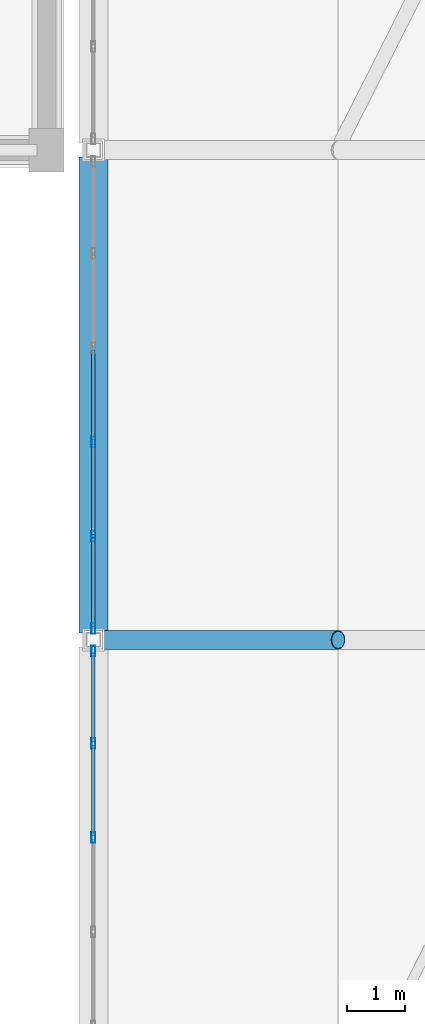
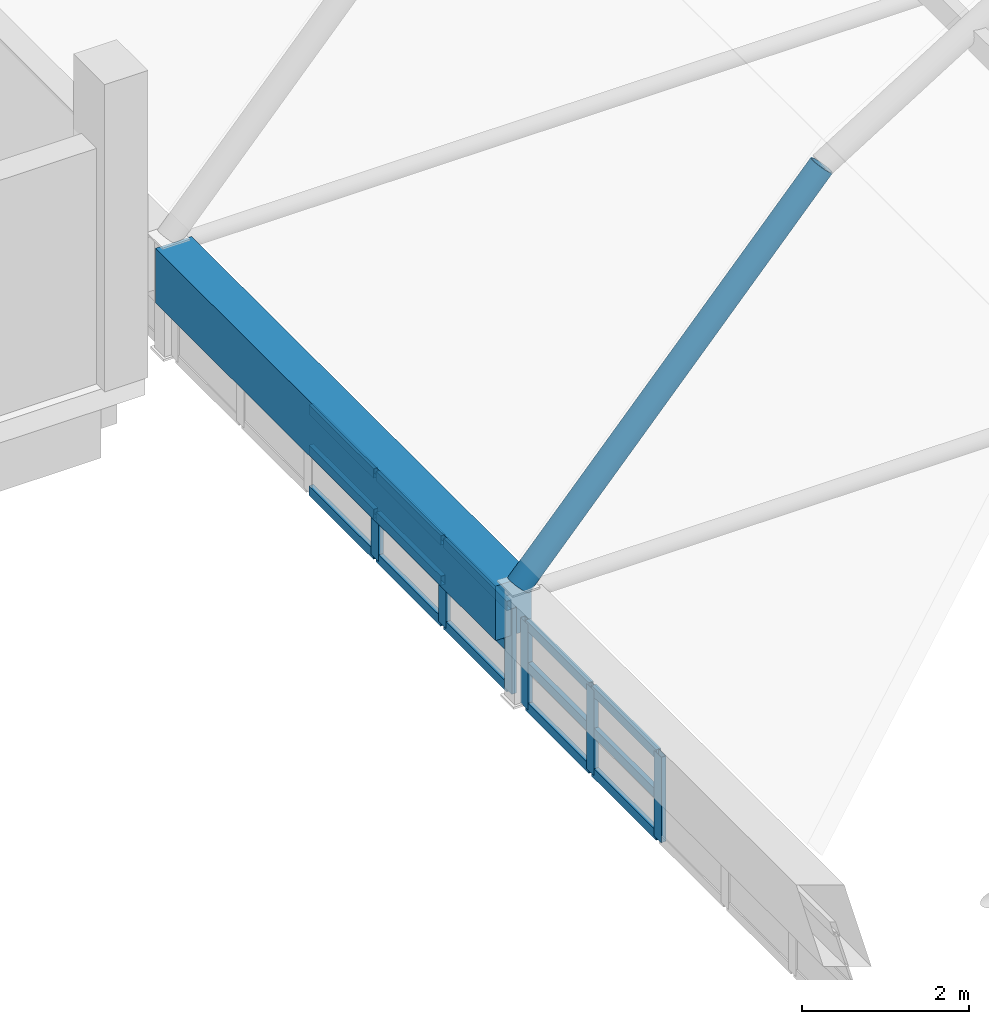
# One storey, part 33 of 114: 21 members, 2 beams, 2 elements without a shape of their own.
"""IFC4 building model written with IfcOpenShell, lengths in metres."""

from ifc_helpers import new_model, si_unit, direction, frame, origin, origin_2d, place, context, subcontext, project, spatial, rectangle, hollow_rectangle, hollow_circle, extrude, material, layer, layer_set, material_profile, profile_set, type_object, element, aggregate, save


model = new_model("IFC4")

# Units and contexts
model_context = context("Model", 3, precision=1e-05, world=origin(), true_north=direction((0.0, 1.0)))
body_context = subcontext(model_context, "Body", "Model", "MODEL_VIEW")
ifc_project = project(units=[si_unit("LENGTHUNIT", "METRE"), si_unit("AREAUNIT", "SQUARE_METRE"), si_unit("VOLUMEUNIT", "CUBIC_METRE"), si_unit("PLANEANGLEUNIT", "RADIAN"), si_unit("MASSUNIT", "GRAM", prefix="KILO")], contexts=[model_context])

# Site, building, storey
site_placement = place(None, origin())
site = spatial("IfcSite", under=ifc_project, at=site_placement, CompositionType="ELEMENT")
building_placement = place(site_placement, origin())
building = spatial("IfcBuilding", under=site, at=building_placement, Name="Xazarin Passage Department Store", CompositionType="ELEMENT")
storey_placement = place(building_placement, frame((0.0, 0.0, 14.39990234375)))
storey = spatial("IfcBuildingStorey", under=building, at=storey_placement, Name="L03", CompositionType="ELEMENT", Elevation=14.39990234375)

# Curtain wall, members
ifc_material_1 = material(Name="Bronze anodised aluminium", Category="aluminium")
ifc_layer = layer(ifc_material_1, 0.159912109375)
ifc_layer_set = layer_set([ifc_layer], Name="Bronze anodised aluminium")
curtain_wall_type = type_object("IfcCurtainWallType", Name="ARC-CW-ARC1", PredefinedType="NOTDEFINED", material=ifc_layer_set)
curtain_wall_1_placement = place(storey_placement, origin())
curtain_wall_1 = element("IfcCurtainWall", 1, at=curtain_wall_1_placement, inside=storey, type_object=curtain_wall_type, Name="L03 V2N Galleria Clerestory Curtain Wall 1W", PredefinedType="NOTDEFINED")
ifc_material_profile_1 = material_profile(ifc_material_1, hollow_rectangle(XDim=0.06494140625, YDim=0.179931640625, WallThickness=0.00390625, at=origin_2d()), Name="ALU 65x180")
ifc_profile_set_1 = profile_set([ifc_material_profile_1], Name="Bronze anodised aluminium")
member_type_1 = type_object("IfcMemberType", Name="ARC-CWM-65x180", PredefinedType="MULLION", material=ifc_profile_set_1)
member_1_placement = place(storey_placement, frame((68.0, 56.2080078125, 0.0), z_axis=(0.0, 0.0, 1.0), x_axis=(-1.0, 0.0, 0.0)))
member_1 = element("IfcMember", 2, at=member_1_placement, type_object=member_type_1, Name="CW3 mullion 4", PredefinedType="MULLION", context=body_context, shape_type="SweptSolid", body=[
    extrude(hollow_rectangle(XDim=0.06494140625, YDim=0.179931640625, WallThickness=0.00390625, at=origin_2d()), origin(), (0.0, 0.0, 1.0), 1.251708984375),
])
member_2_placement = place(storey_placement, frame((68.0, 57.823974609375, 0.0), z_axis=(0.0, 0.0, 1.0), x_axis=(-1.0, 0.0, 0.0)))
member_2 = element("IfcMember", 3, at=member_2_placement, type_object=member_type_1, Name="CW3 mullion 5", PredefinedType="MULLION", context=body_context, shape_type="SweptSolid", body=[
    extrude(hollow_rectangle(XDim=0.06494140625, YDim=0.179931640625, WallThickness=0.00390625, at=origin_2d()), origin(), (0.0, 0.0, 1.0), 1.251708984375),
])
member_3_placement = place(storey_placement, frame((68.0, 59.407470703125, 0.0), z_axis=(0.0, 0.0, 1.0), x_axis=(-1.0, 0.0, 0.0)))
member_3 = element("IfcMember", 4, at=member_3_placement, type_object=member_type_1, Name="CW3 mullion 6", PredefinedType="MULLION", context=body_context, shape_type="SweptSolid", body=[
    extrude(hollow_rectangle(XDim=0.06494140625, YDim=0.179931640625, WallThickness=0.00390625, at=origin_2d()), origin(), (0.0, 0.0, 1.0), 1.251708984375),
])

curtain_wall_2_placement = place(storey_placement, origin())
curtain_wall_2 = element("IfcCurtainWall", 5, at=curtain_wall_2_placement, inside=storey, type_object=curtain_wall_type, Name="L03 V2N Galleria Clerestory Curtain Wall 2W", PredefinedType="NOTDEFINED")
member_4_placement = place(storey_placement, frame((68.0, 59.79248046875, 0.0), z_axis=(0.0, 0.0, 1.0), x_axis=(-1.0, 0.0, 0.0)))
member_4 = element("IfcMember", 6, at=member_4_placement, type_object=member_type_1, Name="CW3 mullion 1", PredefinedType="MULLION", context=body_context, shape_type="SweptSolid", body=[
    extrude(hollow_rectangle(XDim=0.06494140625, YDim=0.179931640625, WallThickness=0.00390625, at=origin_2d()), origin(), (0.0, 0.0, 1.0), 1.251708984375),
])
member_5_placement = place(storey_placement, frame((68.0, 61.3759765625, 0.0), z_axis=(0.0, 0.0, 1.0), x_axis=(-1.0, 0.0, 0.0)))
member_5 = element("IfcMember", 7, at=member_5_placement, type_object=member_type_1, Name="CW3 mullion 2", PredefinedType="MULLION", context=body_context, shape_type="SweptSolid", body=[
    extrude(hollow_rectangle(XDim=0.06494140625, YDim=0.179931640625, WallThickness=0.00390625, at=origin_2d()), origin(), (0.0, 0.0, 1.0), 1.251708984375),
])
member_6_placement = place(storey_placement, frame((68.0, 62.991943359375, 0.0), z_axis=(0.0, 0.0, 1.0), x_axis=(-1.0, 0.0, 0.0)))
member_6 = element("IfcMember", 8, at=member_6_placement, type_object=member_type_1, Name="CW3 mullion 3", PredefinedType="MULLION", context=body_context, shape_type="SweptSolid", body=[
    extrude(hollow_rectangle(XDim=0.06494140625, YDim=0.179931640625, WallThickness=0.00390625, at=origin_2d()), origin(), (0.0, 0.0, 1.0), 1.251708984375),
])

# Member
ifc_material_profile_2 = material_profile(ifc_material_1, hollow_rectangle(XDim=0.06494140625, YDim=0.139892578125, WallThickness=0.00390625, at=origin_2d()), Name="ALU 65x140")
ifc_profile_set_2 = profile_set([ifc_material_profile_2], Name="Bronze anodised aluminium")
member_type_2 = type_object("IfcMemberType", Name="ARC-CWT-65x140", PredefinedType="USERDEFINED", material=ifc_profile_set_2)
member_7_placement = place(storey_placement, frame((68.0, 56.240478515625, 0.03271484375), z_axis=(0.0, 1.0, 0.0), x_axis=(-1.0, 0.0, 0.0)))
member_7 = element("IfcMember", 9, at=member_7_placement, type_object=member_type_2, Name="CW3 transom 4.1", ObjectType="TRANSOM", PredefinedType="USERDEFINED", context=body_context, shape_type="SweptSolid", body=[
    extrude(hollow_rectangle(XDim=0.06494140625, YDim=0.139892578125, WallThickness=0.00390625, at=origin_2d()), origin(), (0.0, 0.0, 1.0), 1.551025390625),
])

member_8_placement = place(storey_placement, frame((68.0, 56.240478515625, 0.6259765625), z_axis=(0.0, 1.0, 0.0), x_axis=(-1.0, 0.0, 0.0)))
member_8 = element("IfcMember", 10, at=member_8_placement, type_object=member_type_2, Name="CW3 transom 4.2", ObjectType="TRANSOM", PredefinedType="USERDEFINED", context=body_context, shape_type="SweptSolid", body=[
    extrude(hollow_rectangle(XDim=0.06494140625, YDim=0.139892578125, WallThickness=0.00390625, at=origin_2d()), origin(), (0.0, 0.0, 1.0), 1.551025390625),
])

member_9_placement = place(storey_placement, frame((68.0, 56.240478515625, 1.21923828125), z_axis=(0.0, 1.0, 0.0), x_axis=(-1.0, 0.0, 0.0)))
member_9 = element("IfcMember", 11, at=member_9_placement, type_object=member_type_2, Name="CW3 transom 4.3", ObjectType="TRANSOM", PredefinedType="USERDEFINED", context=body_context, shape_type="SweptSolid", body=[
    extrude(hollow_rectangle(XDim=0.06494140625, YDim=0.139892578125, WallThickness=0.00390625, at=origin_2d()), origin(), (0.0, 0.0, 1.0), 1.551025390625),
])

member_10_placement = place(storey_placement, frame((68.0, 57.8564453125, 0.03271484375), z_axis=(0.0, 1.0, 0.0), x_axis=(-1.0, 0.0, 0.0)))
member_10 = element("IfcMember", 12, at=member_10_placement, type_object=member_type_2, Name="CW3 transom 5.1", ObjectType="TRANSOM", PredefinedType="USERDEFINED", context=body_context, shape_type="SweptSolid", body=[
    extrude(hollow_rectangle(XDim=0.06494140625, YDim=0.139892578125, WallThickness=0.00390625, at=origin_2d()), origin(), (0.0, 0.0, 1.0), 1.5185546875),
])

member_11_placement = place(storey_placement, frame((68.0, 57.8564453125, 0.6259765625), z_axis=(0.0, 1.0, 0.0), x_axis=(-1.0, 0.0, 0.0)))
member_11 = element("IfcMember", 13, at=member_11_placement, type_object=member_type_2, Name="CW3 transom 5.2", ObjectType="TRANSOM", PredefinedType="USERDEFINED", context=body_context, shape_type="SweptSolid", body=[
    extrude(hollow_rectangle(XDim=0.06494140625, YDim=0.139892578125, WallThickness=0.00390625, at=origin_2d()), origin(), (0.0, 0.0, 1.0), 1.5185546875),
])

member_12_placement = place(storey_placement, frame((68.0, 57.8564453125, 1.21923828125), z_axis=(0.0, 1.0, 0.0), x_axis=(-1.0, 0.0, 0.0)))
member_12 = element("IfcMember", 14, at=member_12_placement, type_object=member_type_2, Name="CW3 transom 5.3", ObjectType="TRANSOM", PredefinedType="USERDEFINED", context=body_context, shape_type="SweptSolid", body=[
    extrude(hollow_rectangle(XDim=0.06494140625, YDim=0.139892578125, WallThickness=0.00390625, at=origin_2d()), origin(), (0.0, 0.0, 1.0), 1.5185546875),
])

aggregate(curtain_wall_1, [member_1, member_2, member_3, member_7, member_8, member_9, member_10, member_11, member_12])

member_13_placement = place(storey_placement, frame((68.0, 59.824951171875, 0.03271484375), z_axis=(0.0, 1.0, 0.0), x_axis=(-1.0, 0.0, 0.0)))
member_13 = element("IfcMember", 15, at=member_13_placement, type_object=member_type_2, Name="CW3 transom 1.1", ObjectType="TRANSOM", PredefinedType="USERDEFINED", context=body_context, shape_type="SweptSolid", body=[
    extrude(hollow_rectangle(XDim=0.06494140625, YDim=0.139892578125, WallThickness=0.00390625, at=origin_2d()), origin(), (0.0, 0.0, 1.0), 1.5185546875),
])

member_14_placement = place(storey_placement, frame((68.0, 59.824951171875, 0.6259765625), z_axis=(0.0, 1.0, 0.0), x_axis=(-1.0, 0.0, 0.0)))
member_14 = element("IfcMember", 16, at=member_14_placement, type_object=member_type_2, Name="CW3 transom 1.2", ObjectType="TRANSOM", PredefinedType="USERDEFINED", context=body_context, shape_type="SweptSolid", body=[
    extrude(hollow_rectangle(XDim=0.06494140625, YDim=0.139892578125, WallThickness=0.00390625, at=origin_2d()), origin(), (0.0, 0.0, 1.0), 1.5185546875),
])

member_15_placement = place(storey_placement, frame((68.0, 59.824951171875, 1.21923828125), z_axis=(0.0, 1.0, 0.0), x_axis=(-1.0, 0.0, 0.0)))
member_15 = element("IfcMember", 17, at=member_15_placement, type_object=member_type_2, Name="CW3 transom 1.3", ObjectType="TRANSOM", PredefinedType="USERDEFINED", context=body_context, shape_type="SweptSolid", body=[
    extrude(hollow_rectangle(XDim=0.06494140625, YDim=0.139892578125, WallThickness=0.00390625, at=origin_2d()), origin(), (0.0, 0.0, 1.0), 1.5185546875),
])

member_16_placement = place(storey_placement, frame((68.0, 61.408447265625, 0.03271484375), z_axis=(0.0, 1.0, 0.0), x_axis=(-1.0, 0.0, 0.0)))
member_16 = element("IfcMember", 18, at=member_16_placement, type_object=member_type_2, Name="CW3 transom 2.1", ObjectType="TRANSOM", PredefinedType="USERDEFINED", context=body_context, shape_type="SweptSolid", body=[
    extrude(hollow_rectangle(XDim=0.06494140625, YDim=0.139892578125, WallThickness=0.00390625, at=origin_2d()), origin(), (0.0, 0.0, 1.0), 1.551025390625),
])

member_17_placement = place(storey_placement, frame((68.0, 61.408447265625, 0.6259765625), z_axis=(0.0, 1.0, 0.0), x_axis=(-1.0, 0.0, 0.0)))
member_17 = element("IfcMember", 19, at=member_17_placement, type_object=member_type_2, Name="CW3 transom 2.2", ObjectType="TRANSOM", PredefinedType="USERDEFINED", context=body_context, shape_type="SweptSolid", body=[
    extrude(hollow_rectangle(XDim=0.06494140625, YDim=0.139892578125, WallThickness=0.00390625, at=origin_2d()), origin(), (0.0, 0.0, 1.0), 1.551025390625),
])

member_18_placement = place(storey_placement, frame((68.0, 61.408447265625, 1.21923828125), z_axis=(0.0, 1.0, 0.0), x_axis=(-1.0, 0.0, 0.0)))
member_18 = element("IfcMember", 20, at=member_18_placement, type_object=member_type_2, Name="CW3 transom 2.3", ObjectType="TRANSOM", PredefinedType="USERDEFINED", context=body_context, shape_type="SweptSolid", body=[
    extrude(hollow_rectangle(XDim=0.06494140625, YDim=0.139892578125, WallThickness=0.00390625, at=origin_2d()), origin(), (0.0, 0.0, 1.0), 1.551025390625),
])

member_19_placement = place(storey_placement, frame((68.0, 63.0244140625, 0.03271484375), z_axis=(0.0, 1.0, 0.0), x_axis=(-1.0, 0.0, 0.0)))
member_19 = element("IfcMember", 21, at=member_19_placement, type_object=member_type_2, Name="CW3 transom 3.1", ObjectType="TRANSOM", PredefinedType="USERDEFINED", context=body_context, shape_type="SweptSolid", body=[
    extrude(hollow_rectangle(XDim=0.06494140625, YDim=0.139892578125, WallThickness=0.00390625, at=origin_2d()), origin(), (0.0, 0.0, 1.0), 1.551025390625),
])

member_20_placement = place(storey_placement, frame((68.0, 63.0244140625, 0.6259765625), z_axis=(0.0, 1.0, 0.0), x_axis=(-1.0, 0.0, 0.0)))
member_20 = element("IfcMember", 22, at=member_20_placement, type_object=member_type_2, Name="CW3 transom 3.2", ObjectType="TRANSOM", PredefinedType="USERDEFINED", context=body_context, shape_type="SweptSolid", body=[
    extrude(hollow_rectangle(XDim=0.06494140625, YDim=0.139892578125, WallThickness=0.00390625, at=origin_2d()), origin(), (0.0, 0.0, 1.0), 1.551025390625),
])

member_21_placement = place(storey_placement, frame((68.0, 63.0244140625, 1.21923828125), z_axis=(0.0, 1.0, 0.0), x_axis=(-1.0, 0.0, 0.0)))
member_21 = element("IfcMember", 23, at=member_21_placement, type_object=member_type_2, Name="CW3 transom 3.3", ObjectType="TRANSOM", PredefinedType="USERDEFINED", context=body_context, shape_type="SweptSolid", body=[
    extrude(hollow_rectangle(XDim=0.06494140625, YDim=0.139892578125, WallThickness=0.00390625, at=origin_2d()), origin(), (0.0, 0.0, 1.0), 1.551025390625),
])

aggregate(curtain_wall_2, [member_4, member_5, member_6, member_13, member_14, member_15, member_16, member_17, member_18, member_19, member_20, member_21])

# Beams
ifc_material_2 = material(Name="Steel S355", Category="steel")
ifc_material_profile_3 = material_profile(ifc_material_2, hollow_circle(Radius=0.161865234375, WallThickness=0.01611328125, at=origin_2d()), Name="CHS 323.9x16")
ifc_profile_set_3 = profile_set([ifc_material_profile_3], Name="Steel S355")
beam_type_1 = type_object("IfcBeamType", Name="STR-BM-AR324", PredefinedType="BEAM", material=ifc_profile_set_3)
beam_1_placement = place(storey_placement, frame((68.0, 59.60009765625, 1.65185546875), z_axis=(0.667891545417, 0.0, 0.74425861336), x_axis=(0.0, 1.0, 0.0)))
element("IfcBeam", 24, at=beam_1_placement, inside=storey, type_object=beam_type_1, Name="V2N Primary Arch Rib 2.1", PredefinedType="BEAM", context=body_context, shape_type="SweptSolid", body=[
    extrude(hollow_circle(Radius=0.161865234375, WallThickness=0.01611328125, at=origin_2d()), origin(), (0.0, 0.0, 1.0), 6.288330078125),
])
ifc_material_3 = material(Name="Concrete C40/50", Category="concrete")
ifc_material_profile_4 = material_profile(ifc_material_3, rectangle(XDim=0.5, YDim=0.800048828125, at=origin_2d()), Name="RC 500x800")
ifc_profile_set_4 = profile_set([ifc_material_profile_4], Name="Concrete C40/50")
beam_type_2 = type_object("IfcBeamType", Name="STR-BM-RG500x800", PredefinedType="BEAM", material=ifc_profile_set_4)
beam_2_placement = place(storey_placement, frame((68.0, 59.719970703125, 1.251708984375), z_axis=(0.0, 1.0, 0.0), x_axis=(-1.0, 0.0, 0.0)))
element("IfcBeam", 25, at=beam_2_placement, inside=storey, type_object=beam_type_2, Name="V2N Springing Ring Girder W-2", PredefinedType="BEAM", context=body_context, shape_type="SweptSolid", body=[
    extrude(rectangle(XDim=0.5, YDim=0.800048828125, at=origin_2d()), origin(), (0.0, 0.0, 1.0), 8.159912109375),
])

save(model, "model.ifc")
